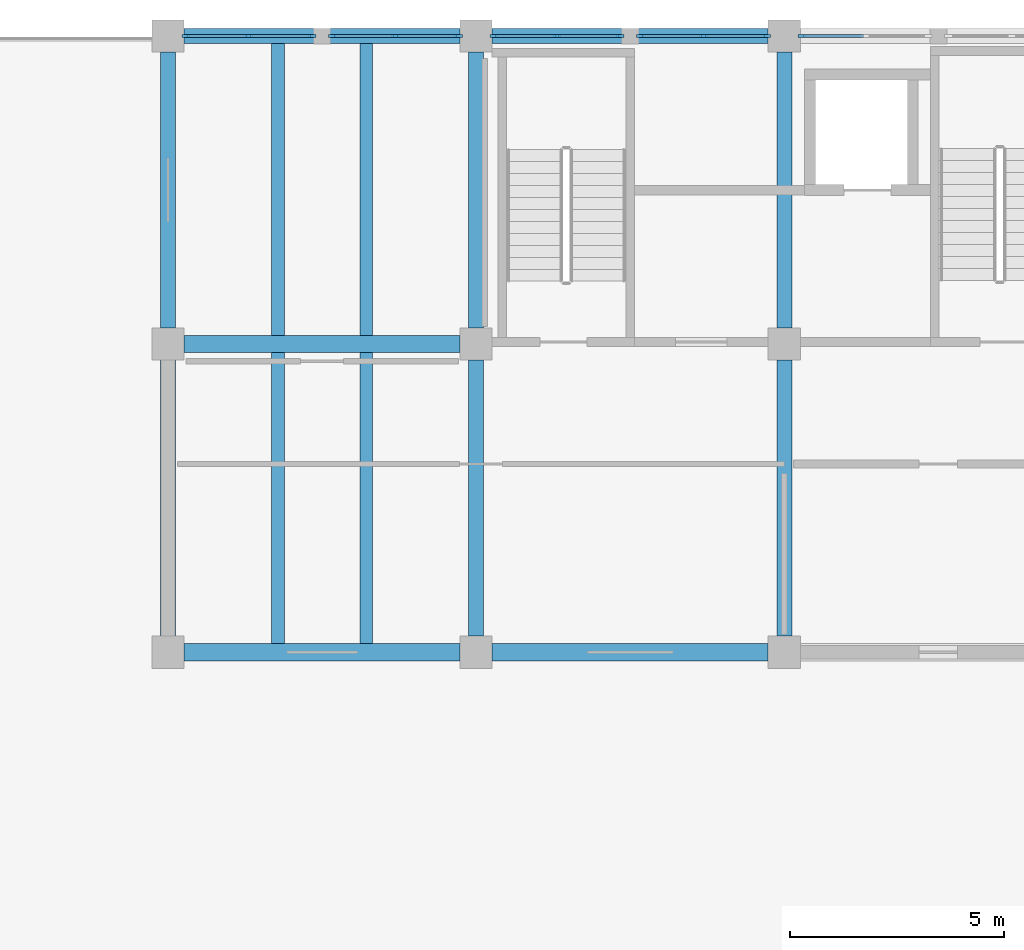
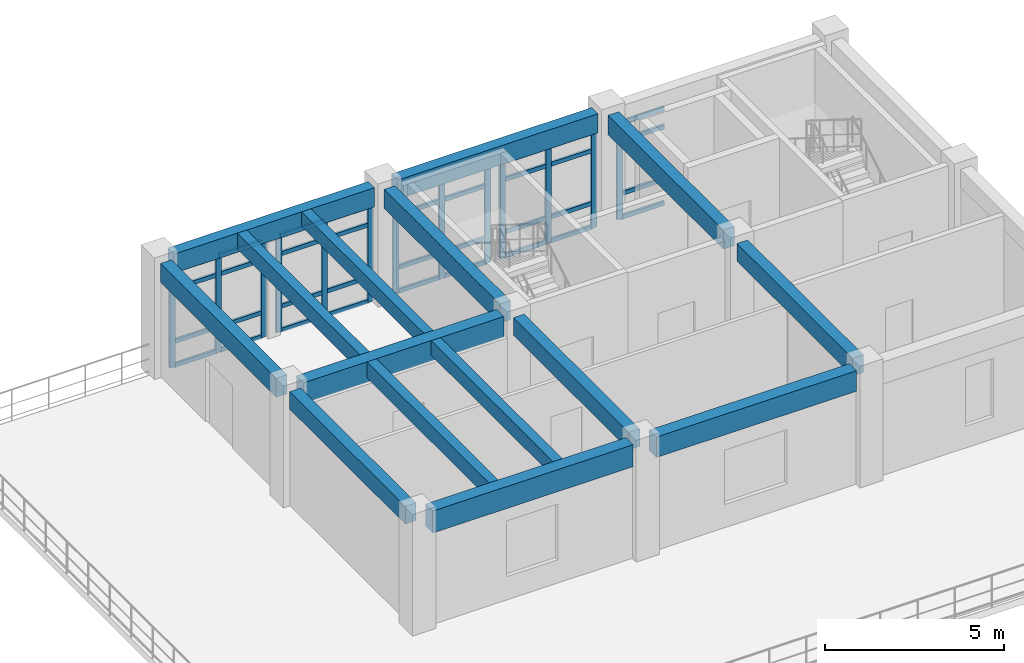
# One storey, part 51 of 136: 49 members, 15 beams, 5 elements without a shape of their own.
"""IFC4 building model written with IfcOpenShell, lengths in metres."""

from ifc_helpers import new_model, si_unit, direction, frame, origin, origin_2d, place, context, subcontext, project, spatial, rectangle, extrude, material, layer, layer_set, material_profile, profile_set, type_object, element, aggregate, save


model = new_model("IFC4")

# Units and contexts
model_context = context("Model", 3, precision=1e-05, world=origin(), true_north=direction((0.0, 1.0)))
body_context = subcontext(model_context, "Body", "Model", "MODEL_VIEW")
ifc_project = project(units=[si_unit("LENGTHUNIT", "METRE"), si_unit("AREAUNIT", "SQUARE_METRE"), si_unit("VOLUMEUNIT", "CUBIC_METRE"), si_unit("PLANEANGLEUNIT", "RADIAN"), si_unit("MASSUNIT", "GRAM", prefix="KILO")], contexts=[model_context])

# Site, building, storey
site_placement = place(None, origin())
site = spatial("IfcSite", under=ifc_project, at=site_placement, CompositionType="ELEMENT")
building_placement = place(site_placement, origin())
building = spatial("IfcBuilding", under=site, at=building_placement, Name="Koriwan Promenade Central Fire Station", CompositionType="ELEMENT")
storey_placement = place(building_placement, frame((0.0, 0.0, 5.39990234375)))
storey = spatial("IfcBuildingStorey", under=building, at=storey_placement, Name="L01", CompositionType="ELEMENT", Elevation=5.39990234375)

# Beams
ifc_material_1 = material(Name="Concrete C35/45", Category="concrete")
ifc_material_profile_1 = material_profile(ifc_material_1, rectangle(XDim=0.300048828125, YDim=0.5, at=origin_2d()), Name="RC-BM-300x500")
ifc_profile_set_1 = profile_set([ifc_material_profile_1], Name="Concrete C35/45")
beam_type_1 = type_object("IfcBeamType", Name="Beam_RC-BM-300x500", PredefinedType="JOIST", material=ifc_profile_set_1)
beam_1_placement = place(storey_placement, frame((83.83203125, 101.0, 3.7001953125), z_axis=(0.0, 1.0, 0.0), x_axis=(-1.0, 0.0, 0.0)))
element("IfcBeam", 1, at=beam_1_placement, inside=storey, type_object=beam_type_1, Name="V2 L01 secondary joist 137", PredefinedType="JOIST", context=body_context, shape_type="SweptSolid", body=[
    extrude(rectangle(XDim=0.300048828125, YDim=0.5, at=origin_2d()), origin(), (0.0, 0.0, 1.0), 6.800048828125),
])
beam_2_placement = place(storey_placement, frame((83.83203125, 108.199951171875, 3.7001953125), z_axis=(0.0, 1.0, 0.0), x_axis=(-1.0, 0.0, 0.0)))
element("IfcBeam", 2, at=beam_2_placement, inside=storey, type_object=beam_type_1, Name="V2 L01 secondary joist 139", PredefinedType="JOIST", context=body_context, shape_type="SweptSolid", body=[
    extrude(rectangle(XDim=0.300048828125, YDim=0.5, at=origin_2d()), origin(), (0.0, 0.0, 1.0), 6.824951171875),
])
ifc_material_profile_2 = material_profile(ifc_material_1, rectangle(XDim=0.300048828125, YDim=0.550048828125, at=origin_2d()), Name="RC-BM-300x550")
ifc_profile_set_2 = profile_set([ifc_material_profile_2], Name="Concrete C35/45")
beam_type_2 = type_object("IfcBeamType", Name="Beam_RC-BM-300x550", PredefinedType="JOIST", material=ifc_profile_set_2)
beam_3_placement = place(storey_placement, frame((81.76806640625, 101.0, 3.675048828125), z_axis=(0.0, 1.0, 0.0), x_axis=(-1.0, 0.0, 0.0)))
element("IfcBeam", 3, at=beam_3_placement, inside=storey, type_object=beam_type_2, Name="V2 L01 secondary joist 136", PredefinedType="JOIST", context=body_context, shape_type="SweptSolid", body=[
    extrude(rectangle(XDim=0.300048828125, YDim=0.550048828125, at=origin_2d()), origin(), (0.0, 0.0, 1.0), 6.800048828125),
])
beam_4_placement = place(storey_placement, frame((81.76806640625, 108.199951171875, 3.675048828125), z_axis=(0.0, 1.0, 0.0), x_axis=(-1.0, 0.0, 0.0)))
element("IfcBeam", 4, at=beam_4_placement, inside=storey, type_object=beam_type_2, Name="V2 L01 secondary joist 138", PredefinedType="JOIST", context=body_context, shape_type="SweptSolid", body=[
    extrude(rectangle(XDim=0.300048828125, YDim=0.550048828125, at=origin_2d()), origin(), (0.0, 0.0, 1.0), 6.824951171875),
])
ifc_material_profile_3 = material_profile(ifc_material_1, rectangle(XDim=0.35009765625, YDim=0.60009765625, at=origin_2d()), Name="RC-BM-350x600")
ifc_profile_set_3 = profile_set([ifc_material_profile_3], Name="Concrete C35/45")
beam_type_3 = type_object("IfcBeamType", Name="Beam_RC-BM-350x600", PredefinedType="BEAM", material=ifc_profile_set_3)
for number, where, z_axis, x_axis, name in (
    (5, (79.199951171875, 101.175048828125, 3.650146484375), (0.0, 1.0, 0.0), (-1.0, 0.0, 0.0), "V2 L01 girder Y-128"),
    (6, (86.39990234375, 101.175048828125, 3.650146484375), (0.0, 1.0, 0.0), (-1.0, 0.0, 0.0), "V2 L01 girder Y-130"),
    (7, (93.60009765625, 101.175048828125, 3.650146484375), (0.0, 1.0, 0.0), (-1.0, 0.0, 0.0), "V2 L01 girder Y-132"),
):
    element("IfcBeam", number, at=place(storey_placement, frame(where, z_axis=z_axis, x_axis=x_axis)), inside=storey, type_object=beam_type_3, Name=name, PredefinedType="BEAM", context=body_context, shape_type="SweptSolid", body=[
        extrude(rectangle(XDim=0.35009765625, YDim=0.60009765625, at=origin_2d()), origin(), (0.0, 0.0, 1.0), 6.449951171875),
    ])
ifc_material_profile_4 = material_profile(ifc_material_1, rectangle(XDim=0.35009765625, YDim=0.64990234375, at=origin_2d()), Name="RC-BM-350x650")
ifc_profile_set_4 = profile_set([ifc_material_profile_4], Name="Concrete C35/45")
beam_type_4 = type_object("IfcBeamType", Name="Beam_RC-BM-350x650", PredefinedType="BEAM", material=ifc_profile_set_4)
for number, where, z_axis, x_axis, name in (
    (8, (79.199951171875, 108.375, 3.625), (0.0, 1.0, 0.0), (-1.0, 0.0, 0.0), "V2 L01 girder Y-129"),
    (9, (86.39990234375, 108.375, 3.625), (0.0, 1.0, 0.0), (-1.0, 0.0, 0.0), "V2 L01 girder Y-131"),
    (10, (93.60009765625, 108.375, 3.625), (0.0, 1.0, 0.0), (-1.0, 0.0, 0.0), "V2 L01 girder Y-133"),
):
    element("IfcBeam", number, at=place(storey_placement, frame(where, z_axis=z_axis, x_axis=x_axis)), inside=storey, type_object=beam_type_4, Name=name, PredefinedType="BEAM", context=body_context, shape_type="SweptSolid", body=[
        extrude(rectangle(XDim=0.35009765625, YDim=0.64990234375, at=origin_2d()), origin(), (0.0, 0.0, 1.0), 6.449951171875),
    ])
ifc_material_profile_5 = material_profile(ifc_material_1, rectangle(XDim=0.39990234375, YDim=0.699951171875, at=origin_2d()), Name="RC-BM-400x700")
ifc_profile_set_5 = profile_set([ifc_material_profile_5], Name="Concrete C35/45")
beam_type_5 = type_object("IfcBeamType", Name="Beam_RC-BM-400x700", PredefinedType="BEAM", material=ifc_profile_set_5)
beam_5_placement = place(storey_placement, frame((86.77490234375, 100.800048828125, 3.60009765625), z_axis=(1.0, 0.0, 0.0), x_axis=(0.0, 1.0, 0.0)))
element("IfcBeam", 11, at=beam_5_placement, inside=storey, type_object=beam_type_5, Name="V2 L01 girder X-122", PredefinedType="BEAM", context=body_context, shape_type="SweptSolid", body=[
    extrude(rectangle(XDim=0.39990234375, YDim=0.699951171875, at=origin_2d()), origin(), (0.0, 0.0, 1.0), 6.4501953125),
])
beam_6_placement = place(storey_placement, frame((79.574951171875, 108.0, 3.60009765625), z_axis=(1.0, 0.0, 0.0), x_axis=(0.0, 1.0, 0.0)))
element("IfcBeam", 12, at=beam_6_placement, inside=storey, type_object=beam_type_5, Name="V2 L01 girder X-124", PredefinedType="BEAM", context=body_context, shape_type="SweptSolid", body=[
    extrude(rectangle(XDim=0.39990234375, YDim=0.699951171875, at=origin_2d()), origin(), (0.0, 0.0, 1.0), 6.449951171875),
])
ifc_material_profile_6 = material_profile(ifc_material_1, rectangle(XDim=0.39990234375, YDim=0.75, at=origin_2d()), Name="RC-BM-400x750")
ifc_profile_set_6 = profile_set([ifc_material_profile_6], Name="Concrete C35/45")
beam_type_6 = type_object("IfcBeamType", Name="Beam_RC-BM-400x750", PredefinedType="BEAM", material=ifc_profile_set_6)
beam_7_placement = place(storey_placement, frame((79.574951171875, 100.800048828125, 3.5751953125), z_axis=(1.0, 0.0, 0.0), x_axis=(0.0, 1.0, 0.0)))
element("IfcBeam", 13, at=beam_7_placement, inside=storey, type_object=beam_type_6, Name="V2 L01 girder X-121", PredefinedType="BEAM", context=body_context, shape_type="SweptSolid", body=[
    extrude(rectangle(XDim=0.39990234375, YDim=0.75, at=origin_2d()), origin(), (0.0, 0.0, 1.0), 6.449951171875),
])
ifc_material_profile_7 = material_profile(ifc_material_1, rectangle(XDim=0.35009765625, YDim=0.64990234375, at=origin_2d()), Name="RC-SP-350x650")
ifc_profile_set_7 = profile_set([ifc_material_profile_7], Name="Concrete C35/45")
beam_type_7 = type_object("IfcBeamType", Name="Beam_RC-SP-350x650", PredefinedType="SPANDREL", material=ifc_profile_set_7)
beam_8_placement = place(storey_placement, frame((79.574951171875, 115.199951171875, 3.625), z_axis=(1.0, 0.0, 0.0), x_axis=(0.0, 1.0, 0.0)))
element("IfcBeam", 14, at=beam_8_placement, inside=storey, type_object=beam_type_7, Name="V2 L01 girder X-125", PredefinedType="SPANDREL", context=body_context, shape_type="SweptSolid", body=[
    extrude(rectangle(XDim=0.35009765625, YDim=0.64990234375, at=origin_2d()), origin(), (0.0, 0.0, 1.0), 6.449951171875),
])
beam_9_placement = place(storey_placement, frame((86.77490234375, 115.199951171875, 3.625), z_axis=(1.0, 0.0, 0.0), x_axis=(0.0, 1.0, 0.0)))
element("IfcBeam", 15, at=beam_9_placement, inside=storey, type_object=beam_type_7, Name="V2 L01 girder X-126", PredefinedType="SPANDREL", context=body_context, shape_type="SweptSolid", body=[
    extrude(rectangle(XDim=0.35009765625, YDim=0.64990234375, at=origin_2d()), origin(), (0.0, 0.0, 1.0), 6.4501953125),
])

# Curtain wall, member
ifc_material_2 = material(Name="Aluminium EN AW-6063-T6 and low-E glazing", Category="aluminium")
ifc_layer_1 = layer(ifc_material_2, 0.159912109375, Name="Aluminium EN AW-6063-T6 and low-E glazing")
ifc_layer_set_1 = layer_set([ifc_layer_1], Name="Aluminium EN AW-6063-T6 and low-E glazing")
curtain_wall_type_1 = type_object("IfcCurtainWallType", Name="CurtainWall_08_303x329", PredefinedType="USERDEFINED", material=ifc_layer_set_1)
curtain_wall_1_placement = place(storey_placement, origin())
curtain_wall_1 = element("IfcCurtainWall", 16, at=curtain_wall_1_placement, inside=storey, type_object=curtain_wall_type_1, Name="V2 L01 unitised curtain wall 022", ObjectType="UNITISED CURTAIN WALL", PredefinedType="USERDEFINED")
ifc_material_3 = material(Name="Aluminium EN AW-6063-T6", Category="aluminium")
ifc_material_profile_8 = material_profile(ifc_material_3, rectangle(XDim=0.074951171875, YDim=0.179931640625, at=origin_2d()), Name="ALU-MUL-75x180")
ifc_profile_set_8 = profile_set([ifc_material_profile_8], Name="Aluminium EN AW-6063-T6")
member_type_1 = type_object("IfcMemberType", Name="CWMullion_ALU-MUL-75x180", PredefinedType="MULLION", material=ifc_profile_set_8)
member_1_placement = place(storey_placement, frame((94.012451171875, 115.199951171875, 0.0), z_axis=(0.0, 0.0, 1.0), x_axis=(0.0, -1.0, 0.0)))
member_1 = element("IfcMember", 17, at=member_1_placement, type_object=member_type_1, Name="CW-08 mullion 3", PredefinedType="MULLION", context=body_context, shape_type="SweptSolid", body=[
    extrude(rectangle(XDim=0.074951171875, YDim=0.179931640625, at=origin_2d()), origin(), (0.0, 0.0, 1.0), 3.2900390625),
])

# Curtain wall, members
ifc_layer_2 = layer(ifc_material_2, 0.159912109375, Name="Aluminium EN AW-6063-T6 and low-E glazing")
ifc_layer_set_2 = layer_set([ifc_layer_2], Name="Aluminium EN AW-6063-T6 and low-E glazing")
curtain_wall_type_2 = type_object("IfcCurtainWallType", Name="CurtainWall_07_302x329", PredefinedType="USERDEFINED", material=ifc_layer_set_2)
curtain_wall_2_placement = place(storey_placement, origin())
curtain_wall_2 = element("IfcCurtainWall", 18, at=curtain_wall_2_placement, inside=storey, type_object=curtain_wall_type_2, Name="V2 L01 unitised curtain wall 023", ObjectType="UNITISED CURTAIN WALL", PredefinedType="USERDEFINED")
member_2_placement = place(storey_placement, frame((93.1875, 115.199951171875, 0.0), z_axis=(0.0, 0.0, 1.0), x_axis=(0.0, -1.0, 0.0)))
member_2 = element("IfcMember", 19, at=member_2_placement, type_object=member_type_1, Name="CW-07 mullion 1", PredefinedType="MULLION", context=body_context, shape_type="SweptSolid", body=[
    extrude(rectangle(XDim=0.074951171875, YDim=0.179931640625, at=origin_2d()), origin(), (0.0, 0.0, 1.0), 3.2900390625),
])
member_3_placement = place(storey_placement, frame((91.71240234375, 115.199951171875, 0.0), z_axis=(0.0, 0.0, 1.0), x_axis=(0.0, -1.0, 0.0)))
member_3 = element("IfcMember", 20, at=member_3_placement, type_object=member_type_1, Name="CW-07 mullion 2", PredefinedType="MULLION", context=body_context, shape_type="SweptSolid", body=[
    extrude(rectangle(XDim=0.074951171875, YDim=0.179931640625, at=origin_2d()), origin(), (0.0, 0.0, 1.0), 3.2900390625),
])
member_4_placement = place(storey_placement, frame((90.237548828125, 115.199951171875, 0.0), z_axis=(0.0, 0.0, 1.0), x_axis=(0.0, -1.0, 0.0)))
member_4 = element("IfcMember", 21, at=member_4_placement, type_object=member_type_1, Name="CW-07 mullion 3", PredefinedType="MULLION", context=body_context, shape_type="SweptSolid", body=[
    extrude(rectangle(XDim=0.074951171875, YDim=0.179931640625, at=origin_2d()), origin(), (0.0, 0.0, 1.0), 3.2900390625),
])

curtain_wall_3_placement = place(storey_placement, origin())
curtain_wall_3 = element("IfcCurtainWall", 22, at=curtain_wall_3_placement, inside=storey, type_object=curtain_wall_type_2, Name="V2 L01 unitised curtain wall 024", ObjectType="UNITISED CURTAIN WALL", PredefinedType="USERDEFINED")
member_5_placement = place(storey_placement, frame((89.762451171875, 115.199951171875, 0.0), z_axis=(0.0, 0.0, 1.0), x_axis=(0.0, -1.0, 0.0)))
member_5 = element("IfcMember", 23, at=member_5_placement, type_object=member_type_1, Name="CW-07 mullion 1", PredefinedType="MULLION", context=body_context, shape_type="SweptSolid", body=[
    extrude(rectangle(XDim=0.074951171875, YDim=0.179931640625, at=origin_2d()), origin(), (0.0, 0.0, 1.0), 3.2900390625),
])
member_6_placement = place(storey_placement, frame((88.28759765625, 115.199951171875, 0.0), z_axis=(0.0, 0.0, 1.0), x_axis=(0.0, -1.0, 0.0)))
member_6 = element("IfcMember", 24, at=member_6_placement, type_object=member_type_1, Name="CW-07 mullion 2", PredefinedType="MULLION", context=body_context, shape_type="SweptSolid", body=[
    extrude(rectangle(XDim=0.074951171875, YDim=0.179931640625, at=origin_2d()), origin(), (0.0, 0.0, 1.0), 3.2900390625),
])
member_7_placement = place(storey_placement, frame((86.8125, 115.199951171875, 0.0), z_axis=(0.0, 0.0, 1.0), x_axis=(0.0, -1.0, 0.0)))
member_7 = element("IfcMember", 25, at=member_7_placement, type_object=member_type_1, Name="CW-07 mullion 3", PredefinedType="MULLION", context=body_context, shape_type="SweptSolid", body=[
    extrude(rectangle(XDim=0.074951171875, YDim=0.179931640625, at=origin_2d()), origin(), (0.0, 0.0, 1.0), 3.2900390625),
])

curtain_wall_4_placement = place(storey_placement, origin())
curtain_wall_4 = element("IfcCurtainWall", 26, at=curtain_wall_4_placement, inside=storey, type_object=curtain_wall_type_1, Name="V2 L01 unitised curtain wall 025", ObjectType="UNITISED CURTAIN WALL", PredefinedType="USERDEFINED")
member_8_placement = place(storey_placement, frame((85.987548828125, 115.199951171875, 0.0), z_axis=(0.0, 0.0, 1.0), x_axis=(0.0, -1.0, 0.0)))
member_8 = element("IfcMember", 27, at=member_8_placement, type_object=member_type_1, Name="CW-08 mullion 1", PredefinedType="MULLION", context=body_context, shape_type="SweptSolid", body=[
    extrude(rectangle(XDim=0.074951171875, YDim=0.179931640625, at=origin_2d()), origin(), (0.0, 0.0, 1.0), 3.2900390625),
])
member_9_placement = place(storey_placement, frame((84.512451171875, 115.199951171875, 0.0), z_axis=(0.0, 0.0, 1.0), x_axis=(0.0, -1.0, 0.0)))
member_9 = element("IfcMember", 28, at=member_9_placement, type_object=member_type_1, Name="CW-08 mullion 2", PredefinedType="MULLION", context=body_context, shape_type="SweptSolid", body=[
    extrude(rectangle(XDim=0.074951171875, YDim=0.179931640625, at=origin_2d()), origin(), (0.0, 0.0, 1.0), 3.2900390625),
])
member_10_placement = place(storey_placement, frame((83.03759765625, 115.199951171875, 0.0), z_axis=(0.0, 0.0, 1.0), x_axis=(0.0, -1.0, 0.0)))
member_10 = element("IfcMember", 29, at=member_10_placement, type_object=member_type_1, Name="CW-08 mullion 3", PredefinedType="MULLION", context=body_context, shape_type="SweptSolid", body=[
    extrude(rectangle(XDim=0.074951171875, YDim=0.179931640625, at=origin_2d()), origin(), (0.0, 0.0, 1.0), 3.2900390625),
])

curtain_wall_5_placement = place(storey_placement, origin())
curtain_wall_5 = element("IfcCurtainWall", 30, at=curtain_wall_5_placement, inside=storey, type_object=curtain_wall_type_2, Name="V2 L01 unitised curtain wall 026", ObjectType="UNITISED CURTAIN WALL", PredefinedType="USERDEFINED")
member_11_placement = place(storey_placement, frame((82.5625, 115.199951171875, 0.0), z_axis=(0.0, 0.0, 1.0), x_axis=(0.0, -1.0, 0.0)))
member_11 = element("IfcMember", 31, at=member_11_placement, type_object=member_type_1, Name="CW-07 mullion 1", PredefinedType="MULLION", context=body_context, shape_type="SweptSolid", body=[
    extrude(rectangle(XDim=0.074951171875, YDim=0.179931640625, at=origin_2d()), origin(), (0.0, 0.0, 1.0), 3.2900390625),
])
member_12_placement = place(storey_placement, frame((81.08740234375, 115.199951171875, 0.0), z_axis=(0.0, 0.0, 1.0), x_axis=(0.0, -1.0, 0.0)))
member_12 = element("IfcMember", 32, at=member_12_placement, type_object=member_type_1, Name="CW-07 mullion 2", PredefinedType="MULLION", context=body_context, shape_type="SweptSolid", body=[
    extrude(rectangle(XDim=0.074951171875, YDim=0.179931640625, at=origin_2d()), origin(), (0.0, 0.0, 1.0), 3.2900390625),
])
member_13_placement = place(storey_placement, frame((79.612548828125, 115.199951171875, 0.0), z_axis=(0.0, 0.0, 1.0), x_axis=(0.0, -1.0, 0.0)))
member_13 = element("IfcMember", 33, at=member_13_placement, type_object=member_type_1, Name="CW-07 mullion 3", PredefinedType="MULLION", context=body_context, shape_type="SweptSolid", body=[
    extrude(rectangle(XDim=0.074951171875, YDim=0.179931640625, at=origin_2d()), origin(), (0.0, 0.0, 1.0), 3.2900390625),
])

# Member
ifc_material_profile_9 = material_profile(ifc_material_3, rectangle(XDim=0.074951171875, YDim=0.139892578125, at=origin_2d()), Name="ALU-TRN-75x140")
ifc_profile_set_9 = profile_set([ifc_material_profile_9], Name="Aluminium EN AW-6063-T6")
member_type_2 = type_object("IfcMemberType", Name="CWTransom_ALU-TRN-75x140", PredefinedType="USERDEFINED", material=ifc_profile_set_9)
member_14_placement = place(storey_placement, frame((95.449951171875, 115.199951171875, 0.03759765625), z_axis=(-1.0, 0.0, 0.0), x_axis=(0.0, -1.0, 0.0)))
member_14 = element("IfcMember", 34, at=member_14_placement, type_object=member_type_2, Name="CW-08 transom 2.1", ObjectType="TRANSOM", PredefinedType="USERDEFINED", context=body_context, shape_type="SweptSolid", body=[
    extrude(rectangle(XDim=0.074951171875, YDim=0.139892578125, at=origin_2d()), origin(), (0.0, 0.0, 1.0), 1.39990234375),
])

member_15_placement = place(storey_placement, frame((95.449951171875, 115.199951171875, 0.85009765625), z_axis=(-1.0, 0.0, 0.0), x_axis=(0.0, -1.0, 0.0)))
member_15 = element("IfcMember", 35, at=member_15_placement, type_object=member_type_2, Name="CW-08 transom 2.2", ObjectType="TRANSOM", PredefinedType="USERDEFINED", context=body_context, shape_type="SweptSolid", body=[
    extrude(rectangle(XDim=0.074951171875, YDim=0.139892578125, at=origin_2d()), origin(), (0.0, 0.0, 1.0), 1.39990234375),
])

member_16_placement = place(storey_placement, frame((95.449951171875, 115.199951171875, 2.64013671875), z_axis=(-1.0, 0.0, 0.0), x_axis=(0.0, -1.0, 0.0)))
member_16 = element("IfcMember", 36, at=member_16_placement, type_object=member_type_2, Name="CW-08 transom 2.3", ObjectType="TRANSOM", PredefinedType="USERDEFINED", context=body_context, shape_type="SweptSolid", body=[
    extrude(rectangle(XDim=0.074951171875, YDim=0.139892578125, at=origin_2d()), origin(), (0.0, 0.0, 1.0), 1.39990234375),
])

member_17_placement = place(storey_placement, frame((95.449951171875, 115.199951171875, 3.252685546875), z_axis=(-1.0, 0.0, 0.0), x_axis=(0.0, -1.0, 0.0)))
member_17 = element("IfcMember", 37, at=member_17_placement, type_object=member_type_2, Name="CW-08 transom 2.4", ObjectType="TRANSOM", PredefinedType="USERDEFINED", context=body_context, shape_type="SweptSolid", body=[
    extrude(rectangle(XDim=0.074951171875, YDim=0.139892578125, at=origin_2d()), origin(), (0.0, 0.0, 1.0), 1.39990234375),
])

aggregate(curtain_wall_1, [member_1, member_14, member_15, member_16, member_17])

member_18_placement = place(storey_placement, frame((93.14990234375, 115.199951171875, 0.03759765625), z_axis=(-1.0, 0.0, 0.0), x_axis=(0.0, -1.0, 0.0)))
member_18 = element("IfcMember", 38, at=member_18_placement, type_object=member_type_2, Name="CW-07 transom 1.1", ObjectType="TRANSOM", PredefinedType="USERDEFINED", context=body_context, shape_type="SweptSolid", body=[
    extrude(rectangle(XDim=0.074951171875, YDim=0.139892578125, at=origin_2d()), origin(), (0.0, 0.0, 1.0), 1.39990234375),
])

member_19_placement = place(storey_placement, frame((93.14990234375, 115.199951171875, 0.85009765625), z_axis=(-1.0, 0.0, 0.0), x_axis=(0.0, -1.0, 0.0)))
member_19 = element("IfcMember", 39, at=member_19_placement, type_object=member_type_2, Name="CW-07 transom 1.2", ObjectType="TRANSOM", PredefinedType="USERDEFINED", context=body_context, shape_type="SweptSolid", body=[
    extrude(rectangle(XDim=0.074951171875, YDim=0.139892578125, at=origin_2d()), origin(), (0.0, 0.0, 1.0), 1.39990234375),
])

member_20_placement = place(storey_placement, frame((93.14990234375, 115.199951171875, 2.64013671875), z_axis=(-1.0, 0.0, 0.0), x_axis=(0.0, -1.0, 0.0)))
member_20 = element("IfcMember", 40, at=member_20_placement, type_object=member_type_2, Name="CW-07 transom 1.3", ObjectType="TRANSOM", PredefinedType="USERDEFINED", context=body_context, shape_type="SweptSolid", body=[
    extrude(rectangle(XDim=0.074951171875, YDim=0.139892578125, at=origin_2d()), origin(), (0.0, 0.0, 1.0), 1.39990234375),
])

member_21_placement = place(storey_placement, frame((93.14990234375, 115.199951171875, 3.252685546875), z_axis=(-1.0, 0.0, 0.0), x_axis=(0.0, -1.0, 0.0)))
member_21 = element("IfcMember", 41, at=member_21_placement, type_object=member_type_2, Name="CW-07 transom 1.4", ObjectType="TRANSOM", PredefinedType="USERDEFINED", context=body_context, shape_type="SweptSolid", body=[
    extrude(rectangle(XDim=0.074951171875, YDim=0.139892578125, at=origin_2d()), origin(), (0.0, 0.0, 1.0), 1.39990234375),
])

member_22_placement = place(storey_placement, frame((91.675048828125, 115.199951171875, 0.03759765625), z_axis=(-1.0, 0.0, 0.0), x_axis=(0.0, -1.0, 0.0)))
member_22 = element("IfcMember", 42, at=member_22_placement, type_object=member_type_2, Name="CW-07 transom 2.1", ObjectType="TRANSOM", PredefinedType="USERDEFINED", context=body_context, shape_type="SweptSolid", body=[
    extrude(rectangle(XDim=0.074951171875, YDim=0.139892578125, at=origin_2d()), origin(), (0.0, 0.0, 1.0), 1.400146484375),
])

member_23_placement = place(storey_placement, frame((91.675048828125, 115.199951171875, 0.85009765625), z_axis=(-1.0, 0.0, 0.0), x_axis=(0.0, -1.0, 0.0)))
member_23 = element("IfcMember", 43, at=member_23_placement, type_object=member_type_2, Name="CW-07 transom 2.2", ObjectType="TRANSOM", PredefinedType="USERDEFINED", context=body_context, shape_type="SweptSolid", body=[
    extrude(rectangle(XDim=0.074951171875, YDim=0.139892578125, at=origin_2d()), origin(), (0.0, 0.0, 1.0), 1.400146484375),
])

member_24_placement = place(storey_placement, frame((91.675048828125, 115.199951171875, 2.64013671875), z_axis=(-1.0, 0.0, 0.0), x_axis=(0.0, -1.0, 0.0)))
member_24 = element("IfcMember", 44, at=member_24_placement, type_object=member_type_2, Name="CW-07 transom 2.3", ObjectType="TRANSOM", PredefinedType="USERDEFINED", context=body_context, shape_type="SweptSolid", body=[
    extrude(rectangle(XDim=0.074951171875, YDim=0.139892578125, at=origin_2d()), origin(), (0.0, 0.0, 1.0), 1.400146484375),
])

member_25_placement = place(storey_placement, frame((91.675048828125, 115.199951171875, 3.252685546875), z_axis=(-1.0, 0.0, 0.0), x_axis=(0.0, -1.0, 0.0)))
member_25 = element("IfcMember", 45, at=member_25_placement, type_object=member_type_2, Name="CW-07 transom 2.4", ObjectType="TRANSOM", PredefinedType="USERDEFINED", context=body_context, shape_type="SweptSolid", body=[
    extrude(rectangle(XDim=0.074951171875, YDim=0.139892578125, at=origin_2d()), origin(), (0.0, 0.0, 1.0), 1.400146484375),
])

aggregate(curtain_wall_2, [member_2, member_3, member_4, member_18, member_19, member_20, member_21, member_22, member_23, member_24, member_25])

member_26_placement = place(storey_placement, frame((89.72509765625, 115.199951171875, 0.03759765625), z_axis=(-1.0, 0.0, 0.0), x_axis=(0.0, -1.0, 0.0)))
member_26 = element("IfcMember", 46, at=member_26_placement, type_object=member_type_2, Name="CW-07 transom 1.1", ObjectType="TRANSOM", PredefinedType="USERDEFINED", context=body_context, shape_type="SweptSolid", body=[
    extrude(rectangle(XDim=0.074951171875, YDim=0.139892578125, at=origin_2d()), origin(), (0.0, 0.0, 1.0), 1.400146484375),
])

member_27_placement = place(storey_placement, frame((89.72509765625, 115.199951171875, 0.85009765625), z_axis=(-1.0, 0.0, 0.0), x_axis=(0.0, -1.0, 0.0)))
member_27 = element("IfcMember", 47, at=member_27_placement, type_object=member_type_2, Name="CW-07 transom 1.2", ObjectType="TRANSOM", PredefinedType="USERDEFINED", context=body_context, shape_type="SweptSolid", body=[
    extrude(rectangle(XDim=0.074951171875, YDim=0.139892578125, at=origin_2d()), origin(), (0.0, 0.0, 1.0), 1.400146484375),
])

member_28_placement = place(storey_placement, frame((89.72509765625, 115.199951171875, 2.64013671875), z_axis=(-1.0, 0.0, 0.0), x_axis=(0.0, -1.0, 0.0)))
member_28 = element("IfcMember", 48, at=member_28_placement, type_object=member_type_2, Name="CW-07 transom 1.3", ObjectType="TRANSOM", PredefinedType="USERDEFINED", context=body_context, shape_type="SweptSolid", body=[
    extrude(rectangle(XDim=0.074951171875, YDim=0.139892578125, at=origin_2d()), origin(), (0.0, 0.0, 1.0), 1.400146484375),
])

member_29_placement = place(storey_placement, frame((89.72509765625, 115.199951171875, 3.252685546875), z_axis=(-1.0, 0.0, 0.0), x_axis=(0.0, -1.0, 0.0)))
member_29 = element("IfcMember", 49, at=member_29_placement, type_object=member_type_2, Name="CW-07 transom 1.4", ObjectType="TRANSOM", PredefinedType="USERDEFINED", context=body_context, shape_type="SweptSolid", body=[
    extrude(rectangle(XDim=0.074951171875, YDim=0.139892578125, at=origin_2d()), origin(), (0.0, 0.0, 1.0), 1.400146484375),
])

member_30_placement = place(storey_placement, frame((88.25, 115.199951171875, 0.03759765625), z_axis=(-1.0, 0.0, 0.0), x_axis=(0.0, -1.0, 0.0)))
member_30 = element("IfcMember", 50, at=member_30_placement, type_object=member_type_2, Name="CW-07 transom 2.1", ObjectType="TRANSOM", PredefinedType="USERDEFINED", context=body_context, shape_type="SweptSolid", body=[
    extrude(rectangle(XDim=0.074951171875, YDim=0.139892578125, at=origin_2d()), origin(), (0.0, 0.0, 1.0), 1.39990234375),
])

member_31_placement = place(storey_placement, frame((88.25, 115.199951171875, 0.85009765625), z_axis=(-1.0, 0.0, 0.0), x_axis=(0.0, -1.0, 0.0)))
member_31 = element("IfcMember", 51, at=member_31_placement, type_object=member_type_2, Name="CW-07 transom 2.2", ObjectType="TRANSOM", PredefinedType="USERDEFINED", context=body_context, shape_type="SweptSolid", body=[
    extrude(rectangle(XDim=0.074951171875, YDim=0.139892578125, at=origin_2d()), origin(), (0.0, 0.0, 1.0), 1.39990234375),
])

member_32_placement = place(storey_placement, frame((88.25, 115.199951171875, 2.64013671875), z_axis=(-1.0, 0.0, 0.0), x_axis=(0.0, -1.0, 0.0)))
member_32 = element("IfcMember", 52, at=member_32_placement, type_object=member_type_2, Name="CW-07 transom 2.3", ObjectType="TRANSOM", PredefinedType="USERDEFINED", context=body_context, shape_type="SweptSolid", body=[
    extrude(rectangle(XDim=0.074951171875, YDim=0.139892578125, at=origin_2d()), origin(), (0.0, 0.0, 1.0), 1.39990234375),
])

member_33_placement = place(storey_placement, frame((88.25, 115.199951171875, 3.252685546875), z_axis=(-1.0, 0.0, 0.0), x_axis=(0.0, -1.0, 0.0)))
member_33 = element("IfcMember", 53, at=member_33_placement, type_object=member_type_2, Name="CW-07 transom 2.4", ObjectType="TRANSOM", PredefinedType="USERDEFINED", context=body_context, shape_type="SweptSolid", body=[
    extrude(rectangle(XDim=0.074951171875, YDim=0.139892578125, at=origin_2d()), origin(), (0.0, 0.0, 1.0), 1.39990234375),
])

aggregate(curtain_wall_3, [member_5, member_6, member_7, member_26, member_27, member_28, member_29, member_30, member_31, member_32, member_33])

member_34_placement = place(storey_placement, frame((85.949951171875, 115.199951171875, 0.03759765625), z_axis=(-1.0, 0.0, 0.0), x_axis=(0.0, -1.0, 0.0)))
member_34 = element("IfcMember", 54, at=member_34_placement, type_object=member_type_2, Name="CW-08 transom 1.1", ObjectType="TRANSOM", PredefinedType="USERDEFINED", context=body_context, shape_type="SweptSolid", body=[
    extrude(rectangle(XDim=0.074951171875, YDim=0.139892578125, at=origin_2d()), origin(), (0.0, 0.0, 1.0), 1.39990234375),
])

member_35_placement = place(storey_placement, frame((85.949951171875, 115.199951171875, 0.85009765625), z_axis=(-1.0, 0.0, 0.0), x_axis=(0.0, -1.0, 0.0)))
member_35 = element("IfcMember", 55, at=member_35_placement, type_object=member_type_2, Name="CW-08 transom 1.2", ObjectType="TRANSOM", PredefinedType="USERDEFINED", context=body_context, shape_type="SweptSolid", body=[
    extrude(rectangle(XDim=0.074951171875, YDim=0.139892578125, at=origin_2d()), origin(), (0.0, 0.0, 1.0), 1.39990234375),
])

member_36_placement = place(storey_placement, frame((85.949951171875, 115.199951171875, 2.64013671875), z_axis=(-1.0, 0.0, 0.0), x_axis=(0.0, -1.0, 0.0)))
member_36 = element("IfcMember", 56, at=member_36_placement, type_object=member_type_2, Name="CW-08 transom 1.3", ObjectType="TRANSOM", PredefinedType="USERDEFINED", context=body_context, shape_type="SweptSolid", body=[
    extrude(rectangle(XDim=0.074951171875, YDim=0.139892578125, at=origin_2d()), origin(), (0.0, 0.0, 1.0), 1.39990234375),
])

member_37_placement = place(storey_placement, frame((85.949951171875, 115.199951171875, 3.252685546875), z_axis=(-1.0, 0.0, 0.0), x_axis=(0.0, -1.0, 0.0)))
member_37 = element("IfcMember", 57, at=member_37_placement, type_object=member_type_2, Name="CW-08 transom 1.4", ObjectType="TRANSOM", PredefinedType="USERDEFINED", context=body_context, shape_type="SweptSolid", body=[
    extrude(rectangle(XDim=0.074951171875, YDim=0.139892578125, at=origin_2d()), origin(), (0.0, 0.0, 1.0), 1.39990234375),
])

member_38_placement = place(storey_placement, frame((84.47509765625, 115.199951171875, 0.03759765625), z_axis=(-1.0, 0.0, 0.0), x_axis=(0.0, -1.0, 0.0)))
member_38 = element("IfcMember", 58, at=member_38_placement, type_object=member_type_2, Name="CW-08 transom 2.1", ObjectType="TRANSOM", PredefinedType="USERDEFINED", context=body_context, shape_type="SweptSolid", body=[
    extrude(rectangle(XDim=0.074951171875, YDim=0.139892578125, at=origin_2d()), origin(), (0.0, 0.0, 1.0), 1.400146484375),
])

member_39_placement = place(storey_placement, frame((84.47509765625, 115.199951171875, 0.85009765625), z_axis=(-1.0, 0.0, 0.0), x_axis=(0.0, -1.0, 0.0)))
member_39 = element("IfcMember", 59, at=member_39_placement, type_object=member_type_2, Name="CW-08 transom 2.2", ObjectType="TRANSOM", PredefinedType="USERDEFINED", context=body_context, shape_type="SweptSolid", body=[
    extrude(rectangle(XDim=0.074951171875, YDim=0.139892578125, at=origin_2d()), origin(), (0.0, 0.0, 1.0), 1.400146484375),
])

member_40_placement = place(storey_placement, frame((84.47509765625, 115.199951171875, 2.64013671875), z_axis=(-1.0, 0.0, 0.0), x_axis=(0.0, -1.0, 0.0)))
member_40 = element("IfcMember", 60, at=member_40_placement, type_object=member_type_2, Name="CW-08 transom 2.3", ObjectType="TRANSOM", PredefinedType="USERDEFINED", context=body_context, shape_type="SweptSolid", body=[
    extrude(rectangle(XDim=0.074951171875, YDim=0.139892578125, at=origin_2d()), origin(), (0.0, 0.0, 1.0), 1.400146484375),
])

member_41_placement = place(storey_placement, frame((84.47509765625, 115.199951171875, 3.252685546875), z_axis=(-1.0, 0.0, 0.0), x_axis=(0.0, -1.0, 0.0)))
member_41 = element("IfcMember", 61, at=member_41_placement, type_object=member_type_2, Name="CW-08 transom 2.4", ObjectType="TRANSOM", PredefinedType="USERDEFINED", context=body_context, shape_type="SweptSolid", body=[
    extrude(rectangle(XDim=0.074951171875, YDim=0.139892578125, at=origin_2d()), origin(), (0.0, 0.0, 1.0), 1.400146484375),
])

aggregate(curtain_wall_4, [member_8, member_9, member_10, member_34, member_35, member_36, member_37, member_38, member_39, member_40, member_41])

member_42_placement = place(storey_placement, frame((82.52490234375, 115.199951171875, 0.03759765625), z_axis=(-1.0, 0.0, 0.0), x_axis=(0.0, -1.0, 0.0)))
member_42 = element("IfcMember", 62, at=member_42_placement, type_object=member_type_2, Name="CW-07 transom 1.1", ObjectType="TRANSOM", PredefinedType="USERDEFINED", context=body_context, shape_type="SweptSolid", body=[
    extrude(rectangle(XDim=0.074951171875, YDim=0.139892578125, at=origin_2d()), origin(), (0.0, 0.0, 1.0), 1.39990234375),
])

member_43_placement = place(storey_placement, frame((82.52490234375, 115.199951171875, 0.85009765625), z_axis=(-1.0, 0.0, 0.0), x_axis=(0.0, -1.0, 0.0)))
member_43 = element("IfcMember", 63, at=member_43_placement, type_object=member_type_2, Name="CW-07 transom 1.2", ObjectType="TRANSOM", PredefinedType="USERDEFINED", context=body_context, shape_type="SweptSolid", body=[
    extrude(rectangle(XDim=0.074951171875, YDim=0.139892578125, at=origin_2d()), origin(), (0.0, 0.0, 1.0), 1.39990234375),
])

member_44_placement = place(storey_placement, frame((82.52490234375, 115.199951171875, 2.64013671875), z_axis=(-1.0, 0.0, 0.0), x_axis=(0.0, -1.0, 0.0)))
member_44 = element("IfcMember", 64, at=member_44_placement, type_object=member_type_2, Name="CW-07 transom 1.3", ObjectType="TRANSOM", PredefinedType="USERDEFINED", context=body_context, shape_type="SweptSolid", body=[
    extrude(rectangle(XDim=0.074951171875, YDim=0.139892578125, at=origin_2d()), origin(), (0.0, 0.0, 1.0), 1.39990234375),
])

member_45_placement = place(storey_placement, frame((82.52490234375, 115.199951171875, 3.252685546875), z_axis=(-1.0, 0.0, 0.0), x_axis=(0.0, -1.0, 0.0)))
member_45 = element("IfcMember", 65, at=member_45_placement, type_object=member_type_2, Name="CW-07 transom 1.4", ObjectType="TRANSOM", PredefinedType="USERDEFINED", context=body_context, shape_type="SweptSolid", body=[
    extrude(rectangle(XDim=0.074951171875, YDim=0.139892578125, at=origin_2d()), origin(), (0.0, 0.0, 1.0), 1.39990234375),
])

member_46_placement = place(storey_placement, frame((81.050048828125, 115.199951171875, 0.03759765625), z_axis=(-1.0, 0.0, 0.0), x_axis=(0.0, -1.0, 0.0)))
member_46 = element("IfcMember", 66, at=member_46_placement, type_object=member_type_2, Name="CW-07 transom 2.1", ObjectType="TRANSOM", PredefinedType="USERDEFINED", context=body_context, shape_type="SweptSolid", body=[
    extrude(rectangle(XDim=0.074951171875, YDim=0.139892578125, at=origin_2d()), origin(), (0.0, 0.0, 1.0), 1.400146484375),
])

member_47_placement = place(storey_placement, frame((81.050048828125, 115.199951171875, 0.85009765625), z_axis=(-1.0, 0.0, 0.0), x_axis=(0.0, -1.0, 0.0)))
member_47 = element("IfcMember", 67, at=member_47_placement, type_object=member_type_2, Name="CW-07 transom 2.2", ObjectType="TRANSOM", PredefinedType="USERDEFINED", context=body_context, shape_type="SweptSolid", body=[
    extrude(rectangle(XDim=0.074951171875, YDim=0.139892578125, at=origin_2d()), origin(), (0.0, 0.0, 1.0), 1.400146484375),
])

member_48_placement = place(storey_placement, frame((81.050048828125, 115.199951171875, 2.64013671875), z_axis=(-1.0, 0.0, 0.0), x_axis=(0.0, -1.0, 0.0)))
member_48 = element("IfcMember", 68, at=member_48_placement, type_object=member_type_2, Name="CW-07 transom 2.3", ObjectType="TRANSOM", PredefinedType="USERDEFINED", context=body_context, shape_type="SweptSolid", body=[
    extrude(rectangle(XDim=0.074951171875, YDim=0.139892578125, at=origin_2d()), origin(), (0.0, 0.0, 1.0), 1.400146484375),
])

member_49_placement = place(storey_placement, frame((81.050048828125, 115.199951171875, 3.252685546875), z_axis=(-1.0, 0.0, 0.0), x_axis=(0.0, -1.0, 0.0)))
member_49 = element("IfcMember", 69, at=member_49_placement, type_object=member_type_2, Name="CW-07 transom 2.4", ObjectType="TRANSOM", PredefinedType="USERDEFINED", context=body_context, shape_type="SweptSolid", body=[
    extrude(rectangle(XDim=0.074951171875, YDim=0.139892578125, at=origin_2d()), origin(), (0.0, 0.0, 1.0), 1.400146484375),
])

aggregate(curtain_wall_5, [member_11, member_12, member_13, member_42, member_43, member_44, member_45, member_46, member_47, member_48, member_49])

save(model, "model.ifc")
